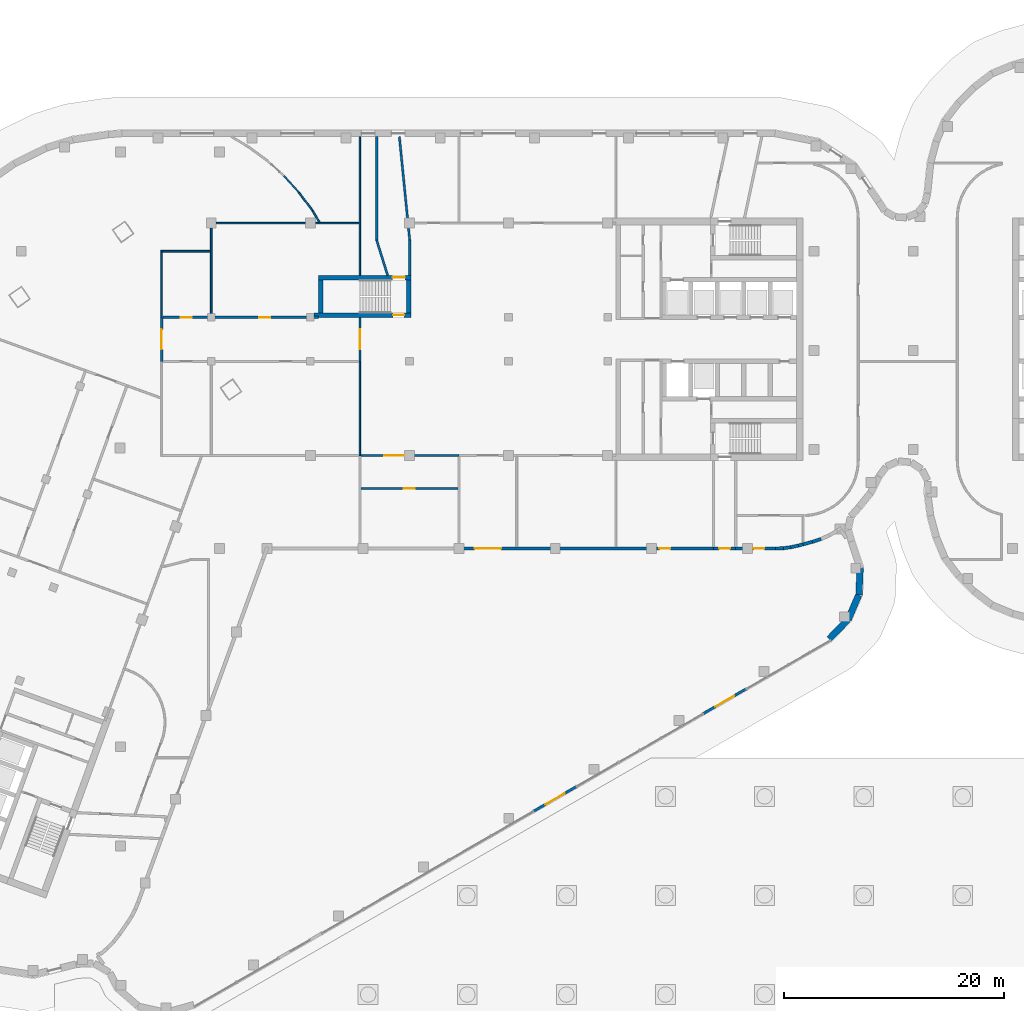
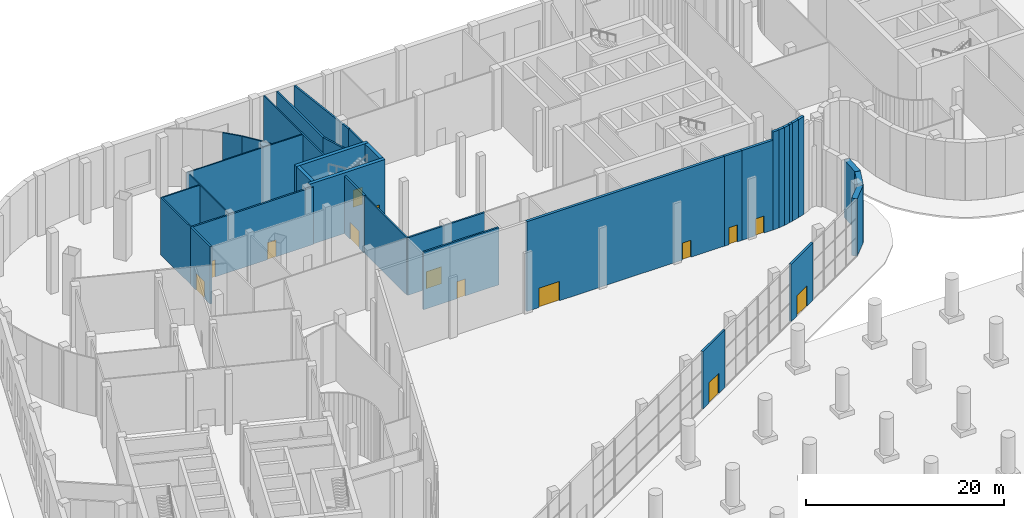
# One storey, part 16 of 30: 36 walls, 14 doors, 14 openings.
"""IFC4 building model written with IfcOpenShell, lengths in metres."""

from ifc_helpers import new_model, si_unit, direction, frame, frame_2d, origin, place, context, subcontext, project, spatial, rectangle, extrude, material, layer, layer_set, type_object, element, fill, save


model = new_model("IFC4")

# Units and contexts
model_context = context("Model", 3, precision=1e-05, world=origin(), true_north=direction((0.0, 1.0)))
body_context = subcontext(model_context, "Body", "Model", "MODEL_VIEW")
ifc_project = project(units=[si_unit("LENGTHUNIT", "METRE"), si_unit("AREAUNIT", "SQUARE_METRE"), si_unit("VOLUMEUNIT", "CUBIC_METRE"), si_unit("PLANEANGLEUNIT", "RADIAN"), si_unit("MASSUNIT", "GRAM", prefix="KILO")], contexts=[model_context])

# Site, building, storey
site_placement = place(None, origin())
site = spatial("IfcSite", under=ifc_project, at=site_placement, CompositionType="ELEMENT")
building_placement = place(site_placement, origin())
building = spatial("IfcBuilding", under=site, at=building_placement, Name="Skarvind Civic Tower", CompositionType="ELEMENT")
storey_placement = place(building_placement, origin())
storey = spatial("IfcBuildingStorey", under=building, at=storey_placement, Name="L00", CompositionType="ELEMENT", Elevation=0.0)

# Wall, opening, door
ifc_material_1 = material(Name="Concrete C80", Category="concrete")
ifc_layer_1 = layer(ifc_material_1, 0.39990234375)
ifc_layer_set_1 = layer_set([ifc_layer_1], Name="Core wall 400 C80")
wall_type_1 = type_object("IfcWallType", Name="Core wall 400 C80", PredefinedType="SHEAR", material=ifc_layer_set_1)
wall_1_placement = place(storey_placement, frame((63.60009765625, 130.199951171875, 0.0), z_axis=(0.0, 0.0, 1.0), x_axis=(1.0, 0.0, 0.0)))
wall_1 = element("IfcWall", 1, at=wall_1_placement, inside=storey, type_object=wall_type_1, Name="Core wall CM inner L00", PredefinedType="SHEAR", context=body_context, shape_type="SweptSolid", body=[
    extrude(rectangle(XDim=8.7998046875, YDim=0.39990234375, at=frame_2d((4.39990234375, 0.0))), origin(), (0.0, 0.0, 1.0), 7.5),
])
opening_1_placement = place(wall_1_placement, frame((7.175048828125, 0.0, 0.0)))
opening_1 = element("IfcOpeningElement", 2, at=opening_1_placement, cuts=wall_1, Name="Opening D-L00-CM-01", PredefinedType="OPENING", context=body_context, shape_type="SweptSolid", body=[
    extrude(rectangle(XDim=1.0, YDim=2.10009765625, at=frame_2d((0.5, 1.050048828125))), frame((0.0, 0.2099609375, 0.0), z_axis=(0.0, -1.0, 0.0), x_axis=(1.0, 0.0, 0.0)), (0.0, 0.0, 1.0), 0.419921875),
])
ifc_material_2 = material(Name="Fire-rated steel door", Category="steel")
door_type_1 = type_object("IfcDoorType", Name="Fire door 1000", OperationType="NOTDEFINED", PredefinedType="DOOR", material=ifc_material_2)
door_1_placement = place(opening_1_placement, origin())
door_1 = element("IfcDoor", 3, at=door_1_placement, inside=storey, type_object=door_type_1, Name="Fire door", OperationType="SINGLE_SWING_LEFT", OverallHeight=2.10009765625, OverallWidth=1.0, PredefinedType="DOOR", context=body_context, shape_type="SweptSolid", body=[
    extrude(rectangle(XDim=1.0, YDim=2.10009765625, at=frame_2d((0.5, 1.050048828125))), frame((0.0, 0.02490234375, 0.0), z_axis=(0.0, -1.0, 0.0), x_axis=(1.0, 0.0, 0.0)), (0.0, 0.0, 1.0), 0.050048828125),
])
fill(opening_1, door_1)

wall_2_placement = place(storey_placement, frame((64.0, 133.60009765625, 0.0), z_axis=(0.0, 0.0, 1.0), x_axis=(1.0, 0.0, 0.0)))
wall_2 = element("IfcWall", 4, at=wall_2_placement, inside=storey, type_object=wall_type_1, Name="Core wall CM outer L00", PredefinedType="SHEAR", context=body_context, shape_type="SweptSolid", body=[
    extrude(rectangle(XDim=8.39990234375, YDim=0.39990234375, at=frame_2d((4.199951171875, 0.0))), origin(), (0.0, 0.0, 1.0), 7.5),
])
opening_2_placement = place(wall_2_placement, frame((6.72509765625, 0.0, 0.0)))
opening_2 = element("IfcOpeningElement", 5, at=opening_2_placement, cuts=wall_2, Name="Opening D-L00-CM-02", PredefinedType="OPENING", context=body_context, shape_type="SweptSolid", body=[
    extrude(rectangle(XDim=1.10009765625, YDim=2.10009765625, at=frame_2d((0.550048828125, 1.050048828125))), frame((0.0, 0.2099609375, 0.0), z_axis=(0.0, -1.0, 0.0), x_axis=(1.0, 0.0, 0.0)), (0.0, 0.0, 1.0), 0.419921875),
])
door_type_2 = type_object("IfcDoorType", Name="Fire door 1100", OperationType="NOTDEFINED", PredefinedType="DOOR", material=ifc_material_2)
door_2_placement = place(opening_2_placement, origin())
door_2 = element("IfcDoor", 6, at=door_2_placement, inside=storey, type_object=door_type_2, Name="Stair exit door", OperationType="SINGLE_SWING_LEFT", OverallHeight=2.10009765625, OverallWidth=1.10009765625, PredefinedType="DOOR", context=body_context, shape_type="SweptSolid", body=[
    extrude(rectangle(XDim=1.10009765625, YDim=2.10009765625, at=frame_2d((0.550048828125, 1.050048828125))), frame((0.0, 0.02490234375, 0.0), z_axis=(0.0, -1.0, 0.0), x_axis=(1.0, 0.0, 0.0)), (0.0, 0.0, 1.0), 0.050048828125),
])
fill(opening_2, door_2)

# Walls
for number, where, z_axis, x_axis, name in (
    (7, (64.199951171875, 130.39990234375, 0.0), (0.0, 0.0, 1.0), (0.0, 1.0, 0.0), "Core wall CM west L00"),
    (8, (72.199951171875, 130.39990234375, 0.0), (0.0, 0.0, 1.0), (0.0, 1.0, 0.0), "Core wall CM end L00"),
):
    element("IfcWall", number, at=place(storey_placement, frame(where, z_axis=z_axis, x_axis=x_axis)), inside=storey, type_object=wall_type_1, Name=name, PredefinedType="SHEAR", context=body_context, shape_type="SweptSolid", body=[
        extrude(rectangle(XDim=3.0, YDim=0.39990234375, at=frame_2d((1.5, 0.0))), origin(), (0.0, 0.0, 1.0), 7.5),
    ])

# Wall, opening, door
ifc_material_3 = material(Name="Fire-rated blockwork wall, plastered", Category="masonry")
ifc_layer_2 = layer(ifc_material_3, 0.199951171875)
ifc_layer_set_2 = layer_set([ifc_layer_2], Name="FIRE WALL 200 EI 120")
wall_type_2 = type_object("IfcWallType", Name="FIRE WALL 200 EI 120", PredefinedType="PARTITIONING", material=ifc_layer_set_2)
wall_3_placement = place(storey_placement, frame((76.64990234375, 114.449951171875, 0.0), z_axis=(0.0, 0.0, 1.0), x_axis=(-1.0, 0.0, 0.0)))
wall_3 = element("IfcWall", 9, at=wall_3_placement, inside=storey, type_object=wall_type_2, Name="Podium partition L00 098", PredefinedType="PARTITIONING", context=body_context, shape_type="SweptSolid", body=[
    extrude(rectangle(XDim=8.7998046875, YDim=0.199951171875, at=frame_2d((4.39990234375, 0.0))), origin(), (0.0, 0.0, 1.0), 7.10009765625),
])
opening_3_placement = place(wall_3_placement, frame((3.89990234375, 0.0, 0.0)))
opening_3 = element("IfcOpeningElement", 10, at=opening_3_placement, cuts=wall_3, Name="Opening L00-D219", PredefinedType="OPENING", context=body_context, shape_type="SweptSolid", body=[
    extrude(rectangle(XDim=1.0, YDim=2.10009765625, at=frame_2d((0.5, 1.050048828125))), frame((0.0, 0.10986328125, 0.0), z_axis=(0.0, -1.0, 0.0), x_axis=(1.0, 0.0, 0.0)), (0.0, 0.0, 1.0), 0.219970703125),
])
ifc_material_4 = material(Name="Painted steel fire door leaf", Category="steel")
door_type_3 = type_object("IfcDoorType", Name="FIRE DOOR 1000X2100 STEEL", OperationType="NOTDEFINED", PredefinedType="DOOR", material=ifc_material_4)
door_3_placement = place(opening_3_placement, origin())
door_3 = element("IfcDoor", 11, at=door_3_placement, inside=storey, type_object=door_type_3, Name="FIRE DOOR", OperationType="SINGLE_SWING_LEFT", OverallHeight=2.10009765625, OverallWidth=1.0, PredefinedType="DOOR", context=body_context, shape_type="SweptSolid", body=[
    extrude(rectangle(XDim=1.0, YDim=2.10009765625, at=frame_2d((0.5, 1.050048828125))), frame((0.0, 0.02490234375, 0.0), z_axis=(0.0, -1.0, 0.0), x_axis=(1.0, 0.0, 0.0)), (0.0, 0.0, 1.0), 0.050048828125),
])
fill(opening_3, door_3)

wall_4_placement = place(storey_placement, frame((67.75, 117.449951171875, 0.0), z_axis=(0.0, 0.0, 1.0), x_axis=(1.0, 0.0, 0.0)))
wall_4 = element("IfcWall", 12, at=wall_4_placement, inside=storey, type_object=wall_type_2, Name="Podium partition L00 100", PredefinedType="PARTITIONING", context=body_context, shape_type="SweptSolid", body=[
    extrude(rectangle(XDim=9.0, YDim=0.199951171875, at=frame_2d((4.5, 0.0))), origin(), (0.0, 0.0, 1.0), 7.10009765625),
])
opening_4_placement = place(wall_4_placement, frame((2.201904296875, 0.0, 0.0)))
opening_4 = element("IfcOpeningElement", 13, at=opening_4_placement, cuts=wall_4, Name="Opening L00-D218", PredefinedType="OPENING", context=body_context, shape_type="SweptSolid", body=[
    extrude(rectangle(XDim=1.800048828125, YDim=2.10009765625, at=frame_2d((0.89990234375, 1.050048828125))), frame((0.0, 0.10986328125, 0.0), z_axis=(0.0, -1.0, 0.0), x_axis=(1.0, 0.0, 0.0)), (0.0, 0.0, 1.0), 0.219970703125),
])
door_type_4 = type_object("IfcDoorType", Name="FIRE DOOR 1800X2100 DOUBLE STEEL", OperationType="NOTDEFINED", PredefinedType="DOOR", material=ifc_material_4)
door_4_placement = place(opening_4_placement, origin())
door_4 = element("IfcDoor", 14, at=door_4_placement, inside=storey, type_object=door_type_4, Name="FIRE DOOR", OperationType="DOUBLE_DOOR_SINGLE_SWING", OverallHeight=2.10009765625, OverallWidth=1.800048828125, PredefinedType="DOOR", context=body_context, shape_type="SweptSolid", body=[
    extrude(rectangle(XDim=1.800048828125, YDim=2.10009765625, at=frame_2d((0.89990234375, 1.050048828125))), frame((0.0, 0.02490234375, 0.0), z_axis=(0.0, -1.0, 0.0), x_axis=(1.0, 0.0, 0.0)), (0.0, 0.0, 1.0), 0.050048828125),
])
fill(opening_4, door_4)

# Walls
wall_5_placement = place(storey_placement, frame((69.27490234375, 136.985107421875, 0.0), z_axis=(0.0, 0.0, 1.0), x_axis=(0.0, 1.0, 0.0)))
element("IfcWall", 15, at=wall_5_placement, inside=storey, type_object=wall_type_2, Name="Podium partition L00 103", PredefinedType="PARTITIONING", context=body_context, shape_type="SweptSolid", body=[
    extrude(rectangle(XDim=9.414794921875, YDim=0.199951171875, at=frame_2d((4.70751953125, 0.0))), origin(), (0.0, 0.0, 1.0), 7.10009765625),
])
wall_6_placement = place(storey_placement, frame((69.27001953125, 137.014892578125, 0.0), z_axis=(0.0, 0.0, 1.0), x_axis=(0.298341026978, -0.954459339952, 0.0)))
element("IfcWall", 16, at=wall_6_placement, inside=storey, type_object=wall_type_2, Name="Podium partition L00 104", PredefinedType="PARTITIONING", context=body_context, shape_type="SweptSolid", body=[
    extrude(rectangle(XDim=3.3681640625, YDim=0.199951171875, at=frame_2d((1.68408203125, 0.0))), origin(), (0.0, 0.0, 1.0), 7.10009765625),
])
wall_7_placement = place(storey_placement, frame((71.3349609375, 146.39990234375, 0.0), z_axis=(0.0, 0.0, 1.0), x_axis=(0.09944745439, -0.995042815066, 0.0)))
element("IfcWall", 17, at=wall_7_placement, inside=storey, type_object=wall_type_2, Name="Podium partition L00 105", PredefinedType="PARTITIONING", context=body_context, shape_type="SweptSolid", body=[
    extrude(rectangle(XDim=9.45166015625, YDim=0.199951171875, at=frame_2d((4.725830078125, 0.0))), origin(), (0.0, 0.0, 1.0), 7.10009765625),
])
wall_8_placement = place(storey_placement, frame((72.27490234375, 133.800048828125, 0.0), z_axis=(0.0, 0.0, 1.0), x_axis=(0.0, 1.0, 0.0)))
element("IfcWall", 18, at=wall_8_placement, inside=storey, type_object=wall_type_2, Name="Podium partition L00 107", PredefinedType="PARTITIONING", context=body_context, shape_type="SweptSolid", body=[
    extrude(rectangle(XDim=3.204833984375, YDim=0.199951171875, at=frame_2d((1.6025390625, 0.0))), origin(), (0.0, 0.0, 1.0), 7.10009765625),
])

# Wall, opening, door
ifc_layer_3 = layer(ifc_material_3, 0.199951171875)
ifc_layer_set_3 = layer_set([ifc_layer_3], Name="FIRE WALL 200 EI 60")
wall_type_3 = type_object("IfcWallType", Name="FIRE WALL 200 EI 60", PredefinedType="PARTITIONING", material=ifc_layer_set_3)
wall_9_placement = place(storey_placement, frame((49.75, 126.0, 0.0), z_axis=(0.0, 0.0, 1.0), x_axis=(0.0, 1.0, 0.0)))
wall_9 = element("IfcWall", 19, at=wall_9_placement, inside=storey, type_object=wall_type_3, Name="Podium partition L00 064", PredefinedType="PARTITIONING", context=body_context, shape_type="SweptSolid", body=[
    extrude(rectangle(XDim=4.0, YDim=0.199951171875, at=frame_2d((2.0, 0.0))), origin(), (0.0, 0.0, 1.0), 7.10009765625),
])
opening_5_placement = place(wall_9_placement, frame((1.10009765625, 0.0, 0.0)))
opening_5 = element("IfcOpeningElement", 20, at=opening_5_placement, cuts=wall_9, Name="Opening L00-D210", PredefinedType="OPENING", context=body_context, shape_type="SweptSolid", body=[
    extrude(rectangle(XDim=1.800048828125, YDim=2.10009765625, at=frame_2d((0.89990234375, 1.050048828125))), frame((0.0, 0.10986328125, 0.0), z_axis=(0.0, -1.0, 0.0), x_axis=(1.0, 0.0, 0.0)), (0.0, 0.0, 1.0), 0.219970703125),
])
door_5_placement = place(opening_5_placement, origin())
door_5 = element("IfcDoor", 21, at=door_5_placement, inside=storey, type_object=door_type_4, Name="FIRE DOOR", OperationType="DOUBLE_DOOR_SINGLE_SWING", OverallHeight=2.10009765625, OverallWidth=1.800048828125, PredefinedType="DOOR", context=body_context, shape_type="SweptSolid", body=[
    extrude(rectangle(XDim=1.800048828125, YDim=2.10009765625, at=frame_2d((0.89990234375, 1.050048828125))), frame((0.0, 0.02490234375, 0.0), z_axis=(0.0, -1.0, 0.0), x_axis=(1.0, 0.0, 0.0)), (0.0, 0.0, 1.0), 0.050048828125),
])
fill(opening_5, door_5)

# Wall, openings, doors
wall_10_placement = place(storey_placement, frame((49.85009765625, 130.0, 0.0), z_axis=(0.0, 0.0, 1.0), x_axis=(1.0, 0.0, 0.0)))
wall_10 = element("IfcWall", 22, at=wall_10_placement, inside=storey, type_object=wall_type_3, Name="Podium partition L00 067", PredefinedType="PARTITIONING", context=body_context, shape_type="SweptSolid", body=[
    extrude(rectangle(XDim=14.14990234375, YDim=0.199951171875, at=frame_2d((7.074951171875, 0.0))), origin(), (0.0, 0.0, 1.0), 7.10009765625),
])
opening_6_placement = place(wall_10_placement, frame((1.652099609375, 0.0, 0.0)))
opening_6 = element("IfcOpeningElement", 23, at=opening_6_placement, cuts=wall_10, Name="Opening L00-D213", PredefinedType="OPENING", context=body_context, shape_type="SweptSolid", body=[
    extrude(rectangle(XDim=1.0, YDim=2.10009765625, at=frame_2d((0.5, 1.050048828125))), frame((0.0, 0.10986328125, 0.0), z_axis=(0.0, -1.0, 0.0), x_axis=(1.0, 0.0, 0.0)), (0.0, 0.0, 1.0), 0.219970703125),
])
opening_7_placement = place(wall_10_placement, frame((8.77294921875, 0.0, 0.0)))
opening_7 = element("IfcOpeningElement", 24, at=opening_7_placement, cuts=wall_10, Name="Opening L00-D214", PredefinedType="OPENING", context=body_context, shape_type="SweptSolid", body=[
    extrude(rectangle(XDim=1.0, YDim=2.10009765625, at=frame_2d((0.5, 1.050048828125))), frame((0.0, 0.10986328125, 0.0), z_axis=(0.0, -1.0, 0.0), x_axis=(1.0, 0.0, 0.0)), (0.0, 0.0, 1.0), 0.219970703125),
])
door_6_placement = place(opening_6_placement, origin())
door_6 = element("IfcDoor", 25, at=door_6_placement, inside=storey, type_object=door_type_3, Name="FIRE DOOR", OperationType="SINGLE_SWING_RIGHT", OverallHeight=2.10009765625, OverallWidth=1.0, PredefinedType="DOOR", context=body_context, shape_type="SweptSolid", body=[
    extrude(rectangle(XDim=1.0, YDim=2.10009765625, at=frame_2d((0.5, 1.050048828125))), frame((0.0, 0.02490234375, 0.0), z_axis=(0.0, -1.0, 0.0), x_axis=(1.0, 0.0, 0.0)), (0.0, 0.0, 1.0), 0.050048828125),
])
fill(opening_6, door_6)
door_7_placement = place(opening_7_placement, origin())
door_7 = element("IfcDoor", 26, at=door_7_placement, inside=storey, type_object=door_type_3, Name="FIRE DOOR", OperationType="SINGLE_SWING_LEFT", OverallHeight=2.10009765625, OverallWidth=1.0, PredefinedType="DOOR", context=body_context, shape_type="SweptSolid", body=[
    extrude(rectangle(XDim=1.0, YDim=2.10009765625, at=frame_2d((0.5, 1.050048828125))), frame((0.0, 0.02490234375, 0.0), z_axis=(0.0, -1.0, 0.0), x_axis=(1.0, 0.0, 0.0)), (0.0, 0.0, 1.0), 0.050048828125),
])
fill(opening_7, door_7)

# Wall, opening, door
wall_11_placement = place(storey_placement, frame((67.75, 130.0, 0.0), z_axis=(0.0, 0.0, 1.0), x_axis=(0.0, -1.0, 0.0)))
wall_11 = element("IfcWall", 27, at=wall_11_placement, inside=storey, type_object=wall_type_3, Name="Podium partition L00 101", PredefinedType="PARTITIONING", context=body_context, shape_type="SweptSolid", body=[
    extrude(rectangle(XDim=4.0, YDim=0.199951171875, at=frame_2d((2.0, 0.0))), origin(), (0.0, 0.0, 1.0), 7.10009765625),
])
opening_8_placement = place(wall_11_placement, frame((1.10205078125, 0.0, 0.0)))
opening_8 = element("IfcOpeningElement", 28, at=opening_8_placement, cuts=wall_11, Name="Opening L00-D217", PredefinedType="OPENING", context=body_context, shape_type="SweptSolid", body=[
    extrude(rectangle(XDim=1.800048828125, YDim=2.10009765625, at=frame_2d((0.89990234375, 1.050048828125))), frame((0.0, 0.10986328125, 0.0), z_axis=(0.0, -1.0, 0.0), x_axis=(1.0, 0.0, 0.0)), (0.0, 0.0, 1.0), 0.219970703125),
])
door_8_placement = place(opening_8_placement, origin())
door_8 = element("IfcDoor", 29, at=door_8_placement, inside=storey, type_object=door_type_4, Name="FIRE DOOR", OperationType="DOUBLE_DOOR_SINGLE_SWING", OverallHeight=2.10009765625, OverallWidth=1.800048828125, PredefinedType="DOOR", context=body_context, shape_type="SweptSolid", body=[
    extrude(rectangle(XDim=1.800048828125, YDim=2.10009765625, at=frame_2d((0.89990234375, 1.050048828125))), frame((0.0, 0.02490234375, 0.0), z_axis=(0.0, -1.0, 0.0), x_axis=(1.0, 0.0, 0.0)), (0.0, 0.0, 1.0), 0.050048828125),
])
fill(opening_8, door_8)

ifc_layer_4 = layer(ifc_material_3, 0.300048828125)
ifc_layer_set_4 = layer_set([ifc_layer_4], Name="FIRE WALL 300 EI 120")
wall_type_4 = type_object("IfcWallType", Name="FIRE WALL 300 EI 120", PredefinedType="PARTITIONING", material=ifc_layer_set_4)
wall_12_placement = place(storey_placement, frame((101.875, 109.0, 0.0), z_axis=(0.0, 0.0, 1.0), x_axis=(-1.0, 0.0, 0.0)))
wall_12 = element("IfcWall", 30, at=wall_12_placement, inside=storey, type_object=wall_type_4, Name="Podium partition L00 118", PredefinedType="PARTITIONING", context=body_context, shape_type="SweptSolid", body=[
    extrude(rectangle(XDim=2.0, YDim=0.300048828125, at=frame_2d((1.0, 0.0))), origin(), (0.0, 0.0, 1.0), 11.10009765625),
])
opening_9_placement = place(wall_12_placement, frame((0.5, 0.0, 0.0)))
opening_9 = element("IfcOpeningElement", 31, at=opening_9_placement, cuts=wall_12, Name="Opening L00-D227", PredefinedType="OPENING", context=body_context, shape_type="SweptSolid", body=[
    extrude(rectangle(XDim=1.0, YDim=2.10009765625, at=frame_2d((0.5, 1.050048828125))), frame((0.0, 0.159912109375, 0.0), z_axis=(0.0, -1.0, 0.0), x_axis=(1.0, 0.0, 0.0)), (0.0, 0.0, 1.0), 0.320068359375),
])
door_9_placement = place(opening_9_placement, origin())
door_9 = element("IfcDoor", 32, at=door_9_placement, inside=storey, type_object=door_type_3, Name="FIRE DOOR", OperationType="SINGLE_SWING_LEFT", OverallHeight=2.10009765625, OverallWidth=1.0, PredefinedType="DOOR", context=body_context, shape_type="SweptSolid", body=[
    extrude(rectangle(XDim=1.0, YDim=2.10009765625, at=frame_2d((0.5, 1.050048828125))), frame((0.0, 0.02490234375, 0.0), z_axis=(0.0, -1.0, 0.0), x_axis=(1.0, 0.0, 0.0)), (0.0, 0.0, 1.0), 0.050048828125),
])
fill(opening_9, door_9)

# Wall, openings, doors
ifc_material_5 = material(Name="Dense blockwork wall, plastered", Category="masonry")
ifc_layer_5 = layer(ifc_material_5, 0.300048828125)
ifc_layer_set_5 = layer_set([ifc_layer_5], Name="MASONRY WALL 300")
wall_type_5 = type_object("IfcWallType", Name="MASONRY WALL 300", PredefinedType="PARTITIONING", material=ifc_layer_set_5)
wall_13_placement = place(storey_placement, frame((76.75, 109.0, 0.0), z_axis=(0.0, 0.0, 1.0), x_axis=(1.0, 0.0, 0.0)))
wall_13 = element("IfcWall", 33, at=wall_13_placement, inside=storey, type_object=wall_type_5, Name="Podium partition L00 109", PredefinedType="PARTITIONING", context=body_context, shape_type="SweptSolid", body=[
    extrude(rectangle(XDim=23.125, YDim=0.300048828125, at=frame_2d((11.5625, 0.0))), origin(), (0.0, 0.0, 1.0), 11.10009765625),
])
opening_10_placement = place(wall_13_placement, frame((1.425048828125, 0.0, 0.0)))
opening_10 = element("IfcOpeningElement", 34, at=opening_10_placement, cuts=wall_13, Name="Opening L00-D221", PredefinedType="OPENING", context=body_context, shape_type="SweptSolid", body=[
    extrude(rectangle(XDim=2.39990234375, YDim=2.39990234375, at=frame_2d((1.199951171875, 1.199951171875))), frame((0.0, 0.159912109375, 0.0), z_axis=(0.0, -1.0, 0.0), x_axis=(1.0, 0.0, 0.0)), (0.0, 0.0, 1.0), 0.320068359375),
])
opening_11_placement = place(wall_13_placement, frame((18.18603515625, 0.0, 0.0)))
opening_11 = element("IfcOpeningElement", 35, at=opening_11_placement, cuts=wall_13, Name="Opening L00-D225", PredefinedType="OPENING", context=body_context, shape_type="SweptSolid", body=[
    extrude(rectangle(XDim=1.0, YDim=2.10009765625, at=frame_2d((0.5, 1.050048828125))), frame((0.0, 0.159912109375, 0.0), z_axis=(0.0, -1.0, 0.0), x_axis=(1.0, 0.0, 0.0)), (0.0, 0.0, 1.0), 0.320068359375),
])
ifc_material_6 = material(Name="Timber veneer door leaf", Category="wood")
door_type_5 = type_object("IfcDoorType", Name="DOOR 1000X2100 TIMBER", OperationType="NOTDEFINED", PredefinedType="DOOR", material=ifc_material_6)
door_10_placement = place(opening_11_placement, origin())
door_10 = element("IfcDoor", 36, at=door_10_placement, inside=storey, type_object=door_type_5, Name="DOOR DOOR", OperationType="SINGLE_SWING_LEFT", OverallHeight=2.10009765625, OverallWidth=1.0, PredefinedType="DOOR", context=body_context, shape_type="SweptSolid", body=[
    extrude(rectangle(XDim=1.0, YDim=2.10009765625, at=frame_2d((0.5, 1.050048828125))), frame((0.0, 0.02490234375, 0.0), z_axis=(0.0, -1.0, 0.0), x_axis=(1.0, 0.0, 0.0)), (0.0, 0.0, 1.0), 0.050048828125),
])
fill(opening_11, door_10)
door_type_6 = type_object("IfcDoorType", Name="DOOR 2400X2400 DOUBLE TIMBER", OperationType="NOTDEFINED", PredefinedType="DOOR", material=ifc_material_6)
door_11_placement = place(opening_10_placement, origin())
door_11 = element("IfcDoor", 37, at=door_11_placement, inside=storey, type_object=door_type_6, Name="DOOR DOOR", OperationType="DOUBLE_DOOR_SINGLE_SWING", OverallHeight=2.39990234375, OverallWidth=2.39990234375, PredefinedType="DOOR", context=body_context, shape_type="SweptSolid", body=[
    extrude(rectangle(XDim=2.39990234375, YDim=2.39990234375, at=frame_2d((1.199951171875, 1.199951171875))), frame((0.0, 0.02490234375, 0.0), z_axis=(0.0, -1.0, 0.0), x_axis=(1.0, 0.0, 0.0)), (0.0, 0.0, 1.0), 0.050048828125),
])
fill(opening_10, door_11)

# Wall, opening, door
wall_14_placement = place(storey_placement, frame((105.5, 109.0, 0.0), z_axis=(0.0, 0.0, 1.0), x_axis=(-1.0, 0.0, 0.0)))
wall_14 = element("IfcWall", 38, at=wall_14_placement, inside=storey, type_object=wall_type_5, Name="Podium partition L00 120", PredefinedType="PARTITIONING", context=body_context, shape_type="SweptSolid", body=[
    extrude(rectangle(XDim=3.625, YDim=0.300048828125, at=frame_2d((1.8125, 0.0))), origin(), (0.0, 0.0, 1.0), 11.10009765625),
])
opening_12_placement = place(wall_14_placement, frame((1.012939453125, 0.0, 0.0)))
opening_12 = element("IfcOpeningElement", 39, at=opening_12_placement, cuts=wall_14, Name="Opening L00-D228", PredefinedType="OPENING", context=body_context, shape_type="SweptSolid", body=[
    extrude(rectangle(XDim=1.0, YDim=2.10009765625, at=frame_2d((0.5, 1.050048828125))), frame((0.0, 0.159912109375, 0.0), z_axis=(0.0, -1.0, 0.0), x_axis=(1.0, 0.0, 0.0)), (0.0, 0.0, 1.0), 0.320068359375),
])
door_12_placement = place(opening_12_placement, origin())
door_12 = element("IfcDoor", 40, at=door_12_placement, inside=storey, type_object=door_type_5, Name="DOOR DOOR", OperationType="SINGLE_SWING_LEFT", OverallHeight=2.10009765625, OverallWidth=1.0, PredefinedType="DOOR", context=body_context, shape_type="SweptSolid", body=[
    extrude(rectangle(XDim=1.0, YDim=2.10009765625, at=frame_2d((0.5, 1.050048828125))), frame((0.0, 0.02490234375, 0.0), z_axis=(0.0, -1.0, 0.0), x_axis=(1.0, 0.0, 0.0)), (0.0, 0.0, 1.0), 0.050048828125),
])
fill(opening_12, door_12)

# Walls
wall_15_placement = place(storey_placement, frame((105.5, 109.0, 0.0), z_axis=(0.0, 0.0, 1.0), x_axis=(0.999091766033, 0.042610363114, 0.0)))
element("IfcWall", 41, at=wall_15_placement, inside=storey, type_object=wall_type_5, Name="Podium partition L00 125", PredefinedType="PARTITIONING", context=body_context, shape_type="SweptSolid", body=[
    extrude(rectangle(XDim=0.704833984375, YDim=0.300048828125, at=frame_2d((0.3525390625, 0.0))), origin(), (0.0, 0.0, 1.0), 12.10009765625),
])
wall_16_placement = place(storey_placement, frame((106.18994140625, 109.029052734375, 0.0), z_axis=(0.0, 0.0, 1.0), x_axis=(0.991230898017, 0.132141238136, 0.0)))
element("IfcWall", 42, at=wall_16_placement, inside=storey, type_object=wall_type_5, Name="Podium partition L00 126", PredefinedType="PARTITIONING", context=body_context, shape_type="SweptSolid", body=[
    extrude(rectangle(XDim=0.71142578125, YDim=0.300048828125, at=frame_2d((0.355712890625, 0.0))), origin(), (0.0, 0.0, 1.0), 12.10009765625),
])
wall_17_placement = place(storey_placement, frame((106.883056640625, 109.12109375, 0.0), z_axis=(0.0, 0.0, 1.0), x_axis=(0.976495894977, 0.21553599953, 0.0)))
element("IfcWall", 43, at=wall_17_placement, inside=storey, type_object=wall_type_5, Name="Podium partition L00 127", PredefinedType="PARTITIONING", context=body_context, shape_type="SweptSolid", body=[
    extrude(rectangle(XDim=0.70458984375, YDim=0.300048828125, at=frame_2d((0.352294921875, 0.0))), origin(), (0.0, 0.0, 1.0), 12.10009765625),
])
wall_18_placement = place(storey_placement, frame((107.571044921875, 109.27294921875, 0.0), z_axis=(0.0, 0.0, 1.0), x_axis=(0.965896509383, 0.25892843251, 0.0)))
element("IfcWall", 44, at=wall_18_placement, inside=storey, type_object=wall_type_5, Name="Podium partition L00 128", PredefinedType="PARTITIONING", context=body_context, shape_type="SweptSolid", body=[
    extrude(rectangle(XDim=0.444091796875, YDim=0.300048828125, at=frame_2d((0.22216796875, 0.0))), origin(), (0.0, 0.0, 1.0), 12.10009765625),
])
wall_19_placement = place(storey_placement, frame((108.0, 109.387939453125, 0.0), z_axis=(0.0, 0.0, 1.0), x_axis=(0.965954430336, 0.258712269741, 0.0)))
element("IfcWall", 45, at=wall_19_placement, inside=storey, type_object=wall_type_5, Name="Podium partition L00 130", PredefinedType="PARTITIONING", context=body_context, shape_type="SweptSolid", body=[
    extrude(rectangle(XDim=0.85400390625, YDim=0.300048828125, at=frame_2d((0.427001953125, 0.0))), origin(), (0.0, 0.0, 1.0), 12.10009765625),
])
wall_20_placement = place(storey_placement, frame((108.81689453125, 109.60693359375, 0.0), z_axis=(0.0, 0.0, 1.0), x_axis=(0.951602885229, 0.307330357798, 0.0)))
element("IfcWall", 46, at=wall_20_placement, inside=storey, type_object=wall_type_5, Name="Podium partition L00 135", PredefinedType="PARTITIONING", context=body_context, shape_type="SweptSolid", body=[
    extrude(rectangle(XDim=0.84912109375, YDim=0.300048828125, at=frame_2d((0.424560546875, 0.0))), origin(), (0.0, 0.0, 1.0), 12.10009765625),
])
ifc_material_7 = material(Name="Plasterboard partition on steel studs", Category="steel")
ifc_layer_6 = layer(ifc_material_7, 0.14990234375)
ifc_layer_set_6 = layer_set([ifc_layer_6], Name="PARTITION 150")
wall_type_6 = type_object("IfcWallType", Name="PARTITION 150", PredefinedType="PARTITIONING", material=ifc_layer_set_6)
wall_21_placement = place(storey_placement, frame((49.75, 130.0, 0.0), z_axis=(0.0, 0.0, 1.0), x_axis=(0.0, 1.0, 0.0)))
element("IfcWall", 47, at=wall_21_placement, inside=storey, type_object=wall_type_6, Name="Podium partition L00 066", PredefinedType="PARTITIONING", context=body_context, shape_type="SweptSolid", body=[
    extrude(rectangle(XDim=6.074951171875, YDim=0.14990234375, at=frame_2d((3.03759765625, 0.0))), origin(), (0.0, 0.0, 1.0), 7.10009765625),
])
wall_22_placement = place(storey_placement, frame((49.824951171875, 136.0, 0.0), z_axis=(0.0, 0.0, 1.0), x_axis=(1.0, 0.0, 0.0)))
element("IfcWall", 48, at=wall_22_placement, inside=storey, type_object=wall_type_6, Name="Podium partition L00 068", PredefinedType="PARTITIONING", context=body_context, shape_type="SweptSolid", body=[
    extrude(rectangle(XDim=4.35009765625, YDim=0.14990234375, at=frame_2d((2.175048828125, 0.0))), origin(), (0.0, 0.0, 1.0), 7.10009765625),
])
wall_23_placement = place(storey_placement, frame((54.25, 130.10009765625, 0.0), z_axis=(0.0, 0.0, 1.0), x_axis=(0.0, 1.0, 0.0)))
element("IfcWall", 49, at=wall_23_placement, inside=storey, type_object=wall_type_6, Name="Podium partition L00 086", PredefinedType="PARTITIONING", context=body_context, shape_type="SweptSolid", body=[
    extrude(rectangle(XDim=8.52490234375, YDim=0.14990234375, at=frame_2d((4.262451171875, 0.0))), origin(), (0.0, 0.0, 1.0), 7.10009765625),
])
wall_24_placement = place(storey_placement, frame((54.324951171875, 138.550048828125, 0.0), z_axis=(0.0, 0.0, 1.0), x_axis=(1.0, 0.0, 0.0)))
element("IfcWall", 50, at=wall_24_placement, inside=storey, type_object=wall_type_6, Name="Podium partition L00 087", PredefinedType="PARTITIONING", context=body_context, shape_type="SweptSolid", body=[
    extrude(rectangle(XDim=13.35009765625, YDim=0.14990234375, at=frame_2d((6.675048828125, 0.0))), origin(), (0.0, 0.0, 1.0), 7.10009765625),
])
wall_25_placement = place(storey_placement, frame((60.846923828125, 142.85205078125, 0.0), z_axis=(0.0, 0.0, 1.0), x_axis=(0.671237826278, -0.741242052621, 0.0)))
element("IfcWall", 51, at=wall_25_placement, inside=storey, type_object=wall_type_6, Name="Podium partition L00 093", PredefinedType="PARTITIONING", context=body_context, shape_type="SweptSolid", body=[
    extrude(rectangle(XDim=2.068115234375, YDim=0.14990234375, at=frame_2d((1.0341796875, 0.0))), origin(), (0.0, 0.0, 1.0), 7.10009765625),
])
wall_26_placement = place(storey_placement, frame((62.23095703125, 141.324951171875, 0.0), z_axis=(0.0, 0.0, 1.0), x_axis=(0.595741297031, -0.80317638599, 0.0)))
element("IfcWall", 52, at=wall_26_placement, inside=storey, type_object=wall_type_6, Name="Podium partition L00 094", PredefinedType="PARTITIONING", context=body_context, shape_type="SweptSolid", body=[
    extrude(rectangle(XDim=2.06787109375, YDim=0.14990234375, at=frame_2d((1.033935546875, 0.0))), origin(), (0.0, 0.0, 1.0), 7.10009765625),
])
wall_27_placement = place(storey_placement, frame((63.458984375, 139.669921875, 0.0), z_axis=(0.0, 0.0, 1.0), x_axis=(0.513906129706, -0.857846425563, 0.0)))
element("IfcWall", 53, at=wall_27_placement, inside=storey, type_object=wall_type_6, Name="Podium partition L00 095", PredefinedType="PARTITIONING", context=body_context, shape_type="SweptSolid", body=[
    extrude(rectangle(XDim=1.218017578125, YDim=0.14990234375, at=frame_2d((0.60888671875, 0.0))), origin(), (0.0, 0.0, 1.0), 7.10009765625),
])
wall_28_placement = place(storey_placement, frame((67.75, 117.449951171875, 0.0), z_axis=(0.0, 0.0, 1.0), x_axis=(0.0, 1.0, 0.0)))
element("IfcWall", 54, at=wall_28_placement, inside=storey, type_object=wall_type_6, Name="Podium partition L00 099", PredefinedType="PARTITIONING", context=body_context, shape_type="SweptSolid", body=[
    extrude(rectangle(XDim=8.550048828125, YDim=0.14990234375, at=frame_2d((4.27490234375, 0.0))), origin(), (0.0, 0.0, 1.0), 7.10009765625),
])
wall_29_placement = place(storey_placement, frame((67.75, 133.800048828125, 0.0), z_axis=(0.0, 0.0, 1.0), x_axis=(0.0, 1.0, 0.0)))
element("IfcWall", 55, at=wall_29_placement, inside=storey, type_object=wall_type_6, Name="Podium partition L00 102", PredefinedType="PARTITIONING", context=body_context, shape_type="SweptSolid", body=[
    extrude(rectangle(XDim=12.599853515625, YDim=0.14990234375, at=frame_2d((6.2998046875, 0.0))), origin(), (0.0, 0.0, 1.0), 7.10009765625),
])
ifc_material_8 = material(Name="Limestone masonry cladding on insulated backing", Category="masonry")
ifc_layer_7 = layer(ifc_material_8, 0.60009765625)
ifc_layer_set_7 = layer_set([ifc_layer_7], Name="WX1 STONE FACADE WALL 600")
wall_type_7 = type_object("IfcWallType", Name="WX1 STONE FACADE WALL 600", PredefinedType="SOLIDWALL", material=ifc_layer_set_7)
for number, where, z_axis, x_axis, name in (
    (56, (112.06640625, 102.53564453125, 0.0), (0.0, 0.0, 1.0), (-0.695943864418, -0.718096189643, 0.0), "STONE FACADE WALL"),
    (57, (113.05126953125, 104.76904296875, 0.0), (0.0, 0.0, 1.0), (-0.394862771196, -0.918740111198, 0.0), "STONE FACADE WALL"),
    (58, (113.1767578125, 107.206787109375, 0.0), (0.0, 0.0, 1.0), (-0.042001630397, -0.999117542156, 0.0), "STONE FACADE WALL"),
):
    element("IfcWall", number, at=place(storey_placement, frame(where, z_axis=z_axis, x_axis=x_axis)), inside=storey, type_object=wall_type_7, Name=name, PredefinedType="SOLIDWALL", context=body_context, shape_type="SweptSolid", body=[
        extrude(rectangle(XDim=2.435546875, YDim=0.60009765625, at=frame_2d((1.2177734375, 0.0))), origin(), (0.0, 0.0, 1.0), 7.10009765625),
    ])

# Wall, opening, door
ifc_layer_8 = layer(ifc_material_8, 0.239990234375)
ifc_layer_set_8 = layer_set([ifc_layer_8], Name="WX4 STONE DOOR PIER WALL 240")
wall_type_8 = type_object("IfcWallType", Name="WX4 STONE DOOR PIER WALL 240", PredefinedType="SOLIDWALL", material=ifc_layer_set_8)
wall_30_placement = place(storey_placement, frame((102.8154296875, 96.24365234375, 0.0), z_axis=(0.0, 0.0, 1.0), x_axis=(-0.866715926483, -0.498802067739, 0.0)))
wall_30 = element("IfcWall", 59, at=wall_30_placement, inside=storey, type_object=wall_type_8, Name="STONE DOOR PIER WALL", PredefinedType="SOLIDWALL", context=body_context, shape_type="SweptSolid", body=[
    extrude(rectangle(XDim=4.44873046875, YDim=0.239990234375, at=frame_2d((2.224365234375, 0.0))), origin(), (0.0, 0.0, 1.0), 7.10009765625),
])
opening_13_placement = place(wall_30_placement, frame((1.224365234375, 0.0, 0.0)))
opening_13 = element("IfcOpeningElement", 60, at=opening_13_placement, cuts=wall_30, Name="Opening DX1", PredefinedType="OPENING", context=body_context, shape_type="SweptSolid", body=[
    extrude(rectangle(XDim=2.0, YDim=2.5, at=frame_2d((1.0, 1.25))), frame((0.0, 0.1298828125, 0.0), z_axis=(0.0, -1.0, 0.0), x_axis=(1.0, 0.0, 0.0)), (0.0, 0.0, 1.0), 0.260009765625),
])
ifc_material_9 = material(Name="Timber and glass doorset", Category="wood")
door_type_7 = type_object("IfcDoorType", Name="DX1 ENTRANCE DOORS 2000 x 2500", OperationType="NOTDEFINED", PredefinedType="DOOR", material=ifc_material_9)
door_13_placement = place(opening_13_placement, origin())
door_13 = element("IfcDoor", 61, at=door_13_placement, inside=storey, type_object=door_type_7, Name="ENTRANCE DOORS", OperationType="DOUBLE_DOOR_SINGLE_SWING", OverallHeight=2.5, OverallWidth=2.0, PredefinedType="DOOR", context=body_context, shape_type="SweptSolid", body=[
    extrude(rectangle(XDim=2.0, YDim=2.5, at=frame_2d((1.0, 1.25))), frame((0.0, 0.02490234375, 0.0), z_axis=(0.0, -1.0, 0.0), x_axis=(1.0, 0.0, 0.0)), (0.0, 0.0, 1.0), 0.050048828125),
])
fill(opening_13, door_13)

wall_31_placement = place(storey_placement, frame((87.392578125, 87.3671875, 0.0), z_axis=(0.0, 0.0, 1.0), x_axis=(-0.866678543422, -0.498867018725, 0.0)))
wall_31 = element("IfcWall", 62, at=wall_31_placement, inside=storey, type_object=wall_type_8, Name="STONE DOOR PIER WALL", PredefinedType="SOLIDWALL", context=body_context, shape_type="SweptSolid", body=[
    extrude(rectangle(XDim=4.448486328125, YDim=0.239990234375, at=frame_2d((2.22412109375, 0.0))), origin(), (0.0, 0.0, 1.0), 7.10009765625),
])
opening_14_placement = place(wall_31_placement, frame((1.224365234375, 0.0, 0.0)))
opening_14 = element("IfcOpeningElement", 63, at=opening_14_placement, cuts=wall_31, Name="Opening DX1", PredefinedType="OPENING", context=body_context, shape_type="SweptSolid", body=[
    extrude(rectangle(XDim=2.0, YDim=2.5, at=frame_2d((1.0, 1.25))), frame((0.0, 0.1298828125, 0.0), z_axis=(0.0, -1.0, 0.0), x_axis=(1.0, 0.0, 0.0)), (0.0, 0.0, 1.0), 0.260009765625),
])
door_14_placement = place(opening_14_placement, origin())
door_14 = element("IfcDoor", 64, at=door_14_placement, inside=storey, type_object=door_type_7, Name="ENTRANCE DOORS", OperationType="DOUBLE_DOOR_SINGLE_SWING", OverallHeight=2.5, OverallWidth=2.0, PredefinedType="DOOR", context=body_context, shape_type="SweptSolid", body=[
    extrude(rectangle(XDim=2.0, YDim=2.5, at=frame_2d((1.0, 1.25))), frame((0.0, 0.02490234375, 0.0), z_axis=(0.0, -1.0, 0.0), x_axis=(1.0, 0.0, 0.0)), (0.0, 0.0, 1.0), 0.050048828125),
])
fill(opening_14, door_14)

save(model, "model.ifc")
